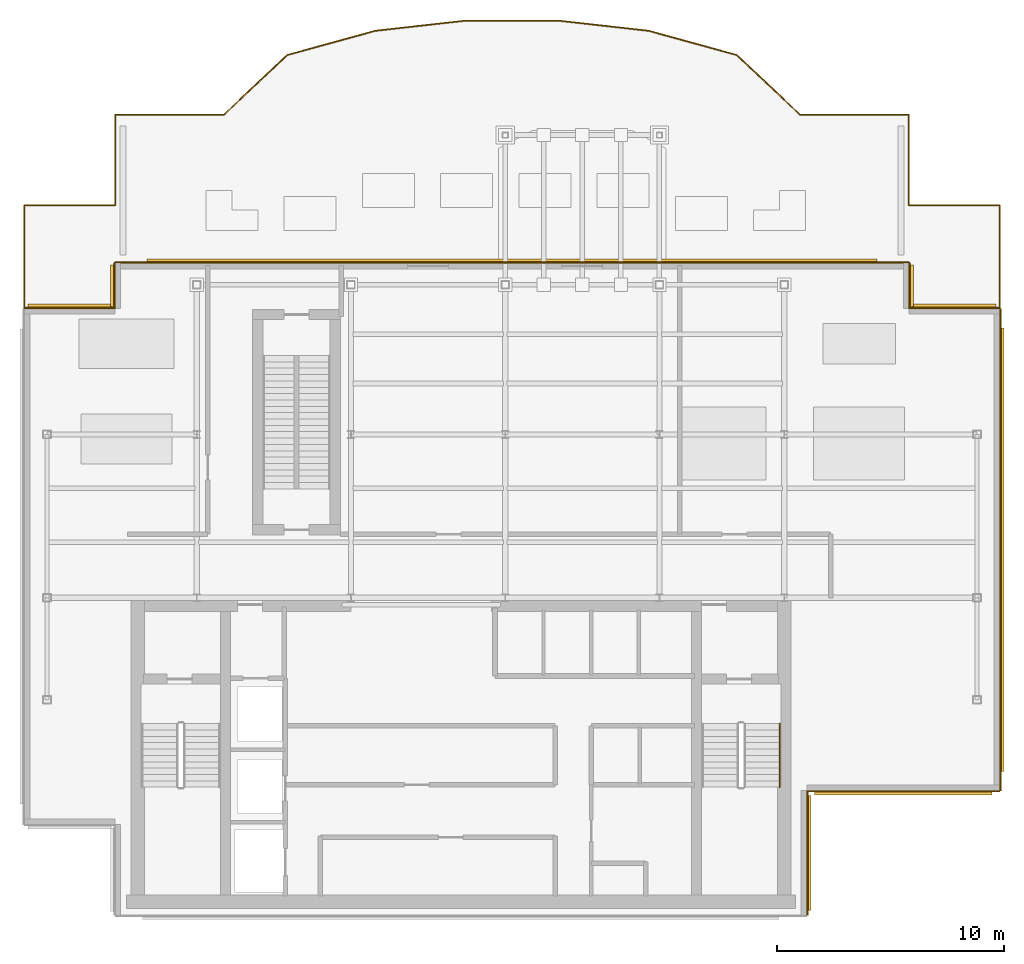
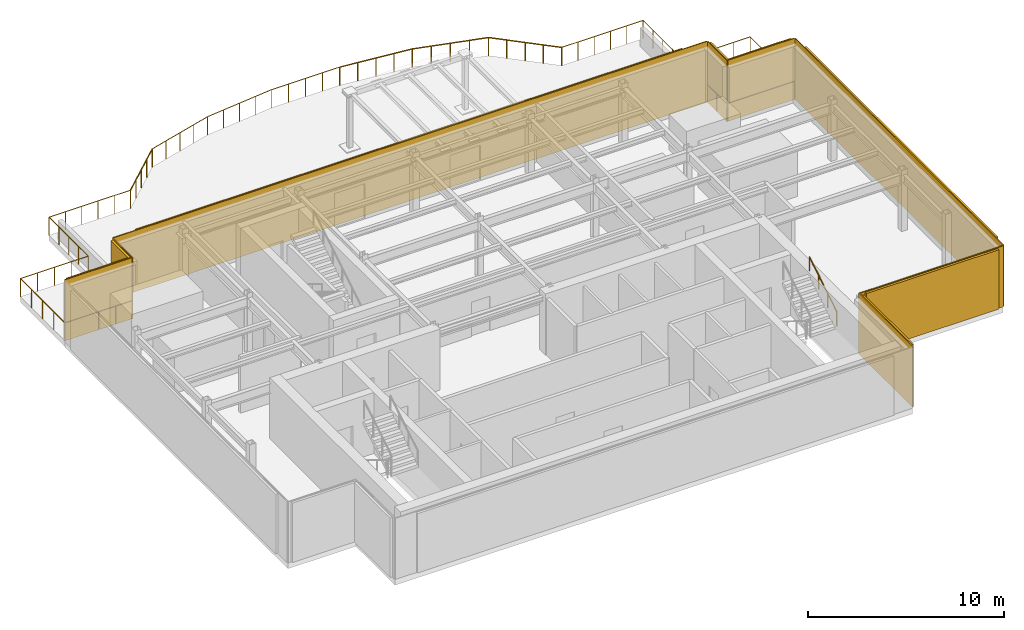
# One storey, part 8 of 9: 20 railings, 8 coverings, 8 shading devices.
"""IFC4 building model written with IfcOpenShell, lengths in metres."""

from ifc_helpers import new_model, si_unit, derived_unit, direction, frame, origin, origin_2d, place, context, subcontext, project, spatial, rectangle, circle, extrude, source, transform, mapped, material, layer, layer_set, type_object, element, save


model = new_model("IFC4")

# Units and contexts
model_context = context("Model", 3, precision=1e-05, world=origin(), true_north=direction((0.0, 1.0)))
body_context = subcontext(model_context, "Body", "Model", "MODEL_VIEW")
ifc_project = project(units=[si_unit("LENGTHUNIT", "METRE"), si_unit("AREAUNIT", "SQUARE_METRE"), si_unit("VOLUMEUNIT", "CUBIC_METRE"), si_unit("PLANEANGLEUNIT", "RADIAN"), si_unit("MASSUNIT", "GRAM", prefix="KILO"), derived_unit("THERMALTRANSMITTANCEUNIT", [(si_unit("POWERUNIT", "WATT"), 1), (si_unit("LENGTHUNIT", "METRE"), -2), (si_unit("THERMODYNAMICTEMPERATUREUNIT", "KELVIN"), -1)])], contexts=[model_context])

# Site, building, storey
site_placement = place(None, origin())
site = spatial("IfcSite", under=ifc_project, at=site_placement, CompositionType="ELEMENT")
building_placement = place(site_placement, origin())
building = spatial("IfcBuilding", under=site, at=building_placement, Name="Skarnbrae Concourse Arena and Tower", CompositionType="ELEMENT")
storey_placement = place(building_placement, frame((0.0, 0.0, 292.25)))
storey = spatial("IfcBuildingStorey", under=building, at=storey_placement, Name="L76", CompositionType="ELEMENT", Elevation=292.25)

# Railings
ifc_material_1 = material(Name="Steel CSA G40.21 350W", Category="steel")
railing_type_1 = type_object("IfcRailingType", Name="RAIL-GUARD-1150", PredefinedType="GUARDRAIL", material=ifc_material_1)
railing_1_placement = place(storey_placement, frame((0.0, 31.300048828125, 0.0)))
element("IfcRailing", 1, at=railing_1_placement, inside=storey, type_object=railing_type_1, Name="L76 Sky Garden Terrace perimeter guardrail 01", PredefinedType="GUARDRAIL", context=body_context, shape_type="SweptSolid", body=[
    extrude(circle(Radius=0.02392578125, at=origin_2d()), frame((0.0, 0.0, 1.1259765625), z_axis=(0.0, -1.0, 0.0), x_axis=(1.0, 0.0, 0.0)), (0.0, 0.0, 1.0), 4.530029296875),
    extrude(circle(Radius=0.02099609375, at=origin_2d()), origin(), (0.0, 0.0, 1.0), 1.101806640625),
    extrude(circle(Radius=0.02099609375, at=origin_2d()), frame((0.0, -1.132568359375, 0.0)), (0.0, 0.0, 1.0), 1.101806640625),
    extrude(circle(Radius=0.02099609375, at=origin_2d()), frame((0.0, -2.26513671875, 0.0)), (0.0, 0.0, 1.0), 1.101806640625),
    extrude(circle(Radius=0.02099609375, at=origin_2d()), frame((0.0, -3.3974609375, 0.0)), (0.0, 0.0, 1.0), 1.101806640625),
    extrude(circle(Radius=0.02099609375, at=origin_2d()), frame((0.0, -4.530029296875, 0.0)), (0.0, 0.0, 1.0), 1.101806640625),
])
railing_2_placement = place(storey_placement, frame((0.0, 26.77001953125, 0.0)))
element("IfcRailing", 2, at=railing_2_placement, inside=storey, type_object=railing_type_1, Name="L76 Sky Garden Terrace perimeter guardrail 02", PredefinedType="GUARDRAIL", context=body_context, shape_type="SweptSolid", body=[
    extrude(circle(Radius=0.02392578125, at=origin_2d()), frame((0.0, 0.0, 1.1259765625), z_axis=(1.0, 0.0, 0.0), x_axis=(0.0, 1.0, 0.0)), (0.0, 0.0, 1.0), 3.97998046875),
    extrude(circle(Radius=0.02099609375, at=origin_2d()), origin(), (0.0, 0.0, 1.0), 1.101806640625),
    extrude(circle(Radius=0.02099609375, at=origin_2d()), frame((0.9951171875, 0.0, 0.0)), (0.0, 0.0, 1.0), 1.101806640625),
    extrude(circle(Radius=0.02099609375, at=origin_2d()), frame((1.989990234375, 0.0, 0.0)), (0.0, 0.0, 1.0), 1.101806640625),
    extrude(circle(Radius=0.02099609375, at=origin_2d()), frame((2.98486328125, 0.0, 0.0)), (0.0, 0.0, 1.0), 1.101806640625),
    extrude(circle(Radius=0.02099609375, at=origin_2d()), frame((3.97998046875, 0.0, 0.0)), (0.0, 0.0, 1.0), 1.101806640625),
])
railing_3_placement = place(storey_placement, frame((3.97998046875, 26.77001953125, 0.0)))
element("IfcRailing", 3, at=railing_3_placement, inside=storey, type_object=railing_type_1, Name="L76 Sky Garden Terrace perimeter guardrail 03", PredefinedType="GUARDRAIL", context=body_context, shape_type="SweptSolid", body=[
    extrude(circle(Radius=0.02392578125, at=origin_2d()), frame((0.0, 0.0, 1.1259765625), z_axis=(0.0, 1.0, 0.0), x_axis=(-1.0, 0.0, 0.0)), (0.0, 0.0, 1.0), 2.0),
    extrude(circle(Radius=0.02099609375, at=origin_2d()), origin(), (0.0, 0.0, 1.0), 1.101806640625),
    extrude(circle(Radius=0.02099609375, at=origin_2d()), frame((0.0, 1.0, 0.0)), (0.0, 0.0, 1.0), 1.101806640625),
    extrude(circle(Radius=0.02099609375, at=origin_2d()), frame((0.0, 2.0, 0.0)), (0.0, 0.0, 1.0), 1.101806640625),
])
railing_4_placement = place(storey_placement, frame((39.02001953125, 28.77001953125, 0.0)))
element("IfcRailing", 4, at=railing_4_placement, inside=storey, type_object=railing_type_1, Name="L76 Sky Garden Terrace perimeter guardrail 05", PredefinedType="GUARDRAIL", context=body_context, shape_type="SweptSolid", body=[
    extrude(circle(Radius=0.02392578125, at=origin_2d()), frame((0.0, 0.0, 1.1259765625), z_axis=(0.0, -1.0, 0.0), x_axis=(1.0, 0.0, 0.0)), (0.0, 0.0, 1.0), 2.0),
    extrude(circle(Radius=0.02099609375, at=origin_2d()), origin(), (0.0, 0.0, 1.0), 1.101806640625),
    extrude(circle(Radius=0.02099609375, at=origin_2d()), frame((0.0, -1.0, 0.0)), (0.0, 0.0, 1.0), 1.101806640625),
    extrude(circle(Radius=0.02099609375, at=origin_2d()), frame((0.0, -2.0, 0.0)), (0.0, 0.0, 1.0), 1.101806640625),
])
railing_5_placement = place(storey_placement, frame((39.02001953125, 26.77001953125, 0.0)))
element("IfcRailing", 5, at=railing_5_placement, inside=storey, type_object=railing_type_1, Name="L76 Sky Garden Terrace perimeter guardrail 06", PredefinedType="GUARDRAIL", context=body_context, shape_type="SweptSolid", body=[
    extrude(circle(Radius=0.02392578125, at=origin_2d()), frame((0.0, 0.0, 1.1259765625), z_axis=(1.0, 0.0, 0.0), x_axis=(0.0, 1.0, 0.0)), (0.0, 0.0, 1.0), 3.97998046875),
    extrude(circle(Radius=0.02099609375, at=origin_2d()), origin(), (0.0, 0.0, 1.0), 1.101806640625),
    extrude(circle(Radius=0.02099609375, at=origin_2d()), frame((0.9951171875, 0.0, 0.0)), (0.0, 0.0, 1.0), 1.101806640625),
    extrude(circle(Radius=0.02099609375, at=origin_2d()), frame((1.989990234375, 0.0, 0.0)), (0.0, 0.0, 1.0), 1.101806640625),
    extrude(circle(Radius=0.02099609375, at=origin_2d()), frame((2.98486328125, 0.0, 0.0)), (0.0, 0.0, 1.0), 1.101806640625),
    extrude(circle(Radius=0.02099609375, at=origin_2d()), frame((3.97998046875, 0.0, 0.0)), (0.0, 0.0, 1.0), 1.101806640625),
])
railing_6_placement = place(storey_placement, frame((43.0, 26.77001953125, 0.0)))
element("IfcRailing", 6, at=railing_6_placement, inside=storey, type_object=railing_type_1, Name="L76 Sky Garden Terrace perimeter guardrail 07", PredefinedType="GUARDRAIL", context=body_context, shape_type="SweptSolid", body=[
    extrude(circle(Radius=0.02392578125, at=origin_2d()), frame((0.0, 0.0, 1.1259765625), z_axis=(0.0, 1.0, 0.0), x_axis=(-1.0, 0.0, 0.0)), (0.0, 0.0, 1.0), 4.530029296875),
    extrude(circle(Radius=0.02099609375, at=origin_2d()), origin(), (0.0, 0.0, 1.0), 1.101806640625),
    extrude(circle(Radius=0.02099609375, at=origin_2d()), frame((0.0, 1.132568359375, 0.0)), (0.0, 0.0, 1.0), 1.101806640625),
    extrude(circle(Radius=0.02099609375, at=origin_2d()), frame((0.0, 2.26513671875, 0.0)), (0.0, 0.0, 1.0), 1.101806640625),
    extrude(circle(Radius=0.02099609375, at=origin_2d()), frame((0.0, 3.3974609375, 0.0)), (0.0, 0.0, 1.0), 1.101806640625),
    extrude(circle(Radius=0.02099609375, at=origin_2d()), frame((0.0, 4.530029296875, 0.0)), (0.0, 0.0, 1.0), 1.101806640625),
])
railing_7_placement = place(storey_placement, frame((43.0, 31.300048828125, 0.0)))
element("IfcRailing", 7, at=railing_7_placement, inside=storey, type_object=railing_type_1, Name="L76 Sky Garden Terrace perimeter guardrail 08", PredefinedType="GUARDRAIL", context=body_context, shape_type="SweptSolid", body=[
    extrude(circle(Radius=0.02392578125, at=origin_2d()), frame((0.0, 0.0, 1.1259765625), z_axis=(-1.0, 0.0, 0.0), x_axis=(0.0, -1.0, 0.0)), (0.0, 0.0, 1.0), 4.0),
    extrude(circle(Radius=0.02099609375, at=origin_2d()), origin(), (0.0, 0.0, 1.0), 1.101806640625),
    extrude(circle(Radius=0.02099609375, at=origin_2d()), frame((-1.0, 0.0, 0.0)), (0.0, 0.0, 1.0), 1.101806640625),
    extrude(circle(Radius=0.02099609375, at=origin_2d()), frame((-2.0, 0.0, 0.0)), (0.0, 0.0, 1.0), 1.101806640625),
    extrude(circle(Radius=0.02099609375, at=origin_2d()), frame((-3.0, 0.0, 0.0)), (0.0, 0.0, 1.0), 1.101806640625),
    extrude(circle(Radius=0.02099609375, at=origin_2d()), frame((-4.0, 0.0, 0.0)), (0.0, 0.0, 1.0), 1.101806640625),
])
railing_8_placement = place(storey_placement, frame((39.0, 31.300048828125, 0.0)))
element("IfcRailing", 8, at=railing_8_placement, inside=storey, type_object=railing_type_1, Name="L76 Sky Garden Terrace perimeter guardrail 09", PredefinedType="GUARDRAIL", context=body_context, shape_type="SweptSolid", body=[
    extrude(circle(Radius=0.02392578125, at=origin_2d()), frame((0.0, 0.0, 1.1259765625), z_axis=(0.0, 1.0, 0.0), x_axis=(-1.0, 0.0, 0.0)), (0.0, 0.0, 1.0), 4.0),
    extrude(circle(Radius=0.02099609375, at=origin_2d()), origin(), (0.0, 0.0, 1.0), 1.101806640625),
    extrude(circle(Radius=0.02099609375, at=origin_2d()), frame((0.0, 1.0, 0.0)), (0.0, 0.0, 1.0), 1.101806640625),
    extrude(circle(Radius=0.02099609375, at=origin_2d()), frame((0.0, 2.0, 0.0)), (0.0, 0.0, 1.0), 1.101806640625),
    extrude(circle(Radius=0.02099609375, at=origin_2d()), frame((0.0, 3.0, 0.0)), (0.0, 0.0, 1.0), 1.101806640625),
    extrude(circle(Radius=0.02099609375, at=origin_2d()), frame((0.0, 4.0, 0.0)), (0.0, 0.0, 1.0), 1.101806640625),
])
railing_9_placement = place(storey_placement, frame((39.0, 35.300048828125, 0.0)))
element("IfcRailing", 9, at=railing_9_placement, inside=storey, type_object=railing_type_1, Name="L76 Sky Garden Terrace perimeter guardrail 10", PredefinedType="GUARDRAIL", context=body_context, shape_type="SweptSolid", body=[
    extrude(circle(Radius=0.02392578125, at=origin_2d()), frame((0.0, 0.0, 1.1259765625), z_axis=(-1.0, 0.0, 0.0), x_axis=(0.0, -1.0, 0.0)), (0.0, 0.0, 1.0), 4.800048828125),
    extrude(circle(Radius=0.02099609375, at=origin_2d()), origin(), (0.0, 0.0, 1.0), 1.101806640625),
    extrude(circle(Radius=0.02099609375, at=origin_2d()), frame((-0.9599609375, 0.0, 0.0)), (0.0, 0.0, 1.0), 1.101806640625),
    extrude(circle(Radius=0.02099609375, at=origin_2d()), frame((-1.919921875, 0.0, 0.0)), (0.0, 0.0, 1.0), 1.101806640625),
    extrude(circle(Radius=0.02099609375, at=origin_2d()), frame((-2.880126953125, 0.0, 0.0)), (0.0, 0.0, 1.0), 1.101806640625),
    extrude(circle(Radius=0.02099609375, at=origin_2d()), frame((-3.840087890625, 0.0, 0.0)), (0.0, 0.0, 1.0), 1.101806640625),
    extrude(circle(Radius=0.02099609375, at=origin_2d()), frame((-4.800048828125, 0.0, 0.0)), (0.0, 0.0, 1.0), 1.101806640625),
])
railing_10_placement = place(storey_placement, frame((34.199951171875, 35.300048828125, 0.0)))
element("IfcRailing", 10, at=railing_10_placement, inside=storey, type_object=railing_type_1, Name="L76 Sky Garden Terrace perimeter guardrail 11", PredefinedType="GUARDRAIL", context=body_context, shape_type="SweptSolid", body=[
    extrude(circle(Radius=0.02392578125, at=origin_2d()), frame((0.0, 0.0, 1.1259765625), z_axis=(-0.728127044998, 0.685442197667, 0.0), x_axis=(-0.685442197667, -0.728127044998, 0.0)), (0.0, 0.0, 1.0), 3.83203125),
    extrude(circle(Radius=0.02099609375, at=origin_2d()), origin(), (0.0, 0.0, 1.0), 1.101806640625),
    extrude(circle(Radius=0.02099609375, at=origin_2d()), frame((-0.697509765625, 0.65673828125, 0.0)), (0.0, 0.0, 1.0), 1.101806640625),
    extrude(circle(Radius=0.02099609375, at=origin_2d()), frame((-1.39501953125, 1.3134765625, 0.0)), (0.0, 0.0, 1.0), 1.101806640625),
    extrude(circle(Radius=0.02099609375, at=origin_2d()), frame((-2.0927734375, 1.969970703125, 0.0)), (0.0, 0.0, 1.0), 1.101806640625),
    extrude(circle(Radius=0.02099609375, at=origin_2d()), frame((-2.790283203125, 2.626708984375, 0.0)), (0.0, 0.0, 1.0), 1.101806640625),
])
railing_11_placement = place(storey_placement, frame((31.40966796875, 37.9267578125, 0.0)))
element("IfcRailing", 11, at=railing_11_placement, inside=storey, type_object=railing_type_1, Name="L76 Sky Garden Terrace perimeter guardrail 12", PredefinedType="GUARDRAIL", context=body_context, shape_type="SweptSolid", body=[
    extrude(circle(Radius=0.02392578125, at=origin_2d()), frame((0.0, 0.0, 1.1259765625), z_axis=(-0.964061157142, 0.265680419469, 0.0), x_axis=(-0.265680419469, -0.964061157142, 0.0)), (0.0, 0.0, 1.0), 4.028564453125),
    extrude(circle(Radius=0.02099609375, at=origin_2d()), origin(), (0.0, 0.0, 1.0), 1.101806640625),
    extrude(circle(Radius=0.02099609375, at=origin_2d()), frame((-0.970947265625, 0.267578125, 0.0)), (0.0, 0.0, 1.0), 1.101806640625),
    extrude(circle(Radius=0.02099609375, at=origin_2d()), frame((-1.94189453125, 0.53515625, 0.0)), (0.0, 0.0, 1.0), 1.101806640625),
    extrude(circle(Radius=0.02099609375, at=origin_2d()), frame((-2.912841796875, 0.802734375, 0.0)), (0.0, 0.0, 1.0), 1.101806640625),
    extrude(circle(Radius=0.02099609375, at=origin_2d()), frame((-3.8837890625, 1.0703125, 0.0)), (0.0, 0.0, 1.0), 1.101806640625),
])
railing_12_placement = place(storey_placement, frame((27.52587890625, 38.9970703125, 0.0)))
element("IfcRailing", 12, at=railing_12_placement, inside=storey, type_object=railing_type_1, Name="L76 Sky Garden Terrace perimeter guardrail 13", PredefinedType="GUARDRAIL", context=body_context, shape_type="SweptSolid", body=[
    extrude(circle(Radius=0.02392578125, at=origin_2d()), frame((0.0, 0.0, 1.1259765625), z_axis=(-0.99376656551, 0.111480999614, 0.0), x_axis=(-0.111480999614, -0.99376656551, 0.0)), (0.0, 0.0, 1.0), 4.033935546875),
    extrude(circle(Radius=0.02099609375, at=origin_2d()), origin(), (0.0, 0.0, 1.0), 1.101806640625),
    extrude(circle(Radius=0.02099609375, at=origin_2d()), frame((-1.002197265625, 0.1123046875, 0.0)), (0.0, 0.0, 1.0), 1.101806640625),
    extrude(circle(Radius=0.02099609375, at=origin_2d()), frame((-2.00439453125, 0.224853515625, 0.0)), (0.0, 0.0, 1.0), 1.101806640625),
    extrude(circle(Radius=0.02099609375, at=origin_2d()), frame((-3.006591796875, 0.33740234375, 0.0)), (0.0, 0.0, 1.0), 1.101806640625),
    extrude(circle(Radius=0.02099609375, at=origin_2d()), frame((-4.0087890625, 0.44970703125, 0.0)), (0.0, 0.0, 1.0), 1.101806640625),
])
railing_13_placement = place(storey_placement, frame((23.51708984375, 39.44677734375, 0.0)))
element("IfcRailing", 13, at=railing_13_placement, inside=storey, type_object=railing_type_1, Name="L76 Sky Garden Terrace perimeter guardrail 14", PredefinedType="GUARDRAIL", context=body_context, shape_type="SweptSolid", body=[
    extrude(circle(Radius=0.02392578125, at=origin_2d()), frame((0.0, 0.0, 1.1259765625), z_axis=(-1.0, 0.0, 0.0), x_axis=(0.0, -1.0, 0.0)), (0.0, 0.0, 1.0), 4.0341796875),
    extrude(circle(Radius=0.02099609375, at=origin_2d()), origin(), (0.0, 0.0, 1.0), 1.101806640625),
    extrude(circle(Radius=0.02099609375, at=origin_2d()), frame((-1.008544921875, 0.0, 0.0)), (0.0, 0.0, 1.0), 1.101806640625),
    extrude(circle(Radius=0.02099609375, at=origin_2d()), frame((-2.01708984375, 0.0, 0.0)), (0.0, 0.0, 1.0), 1.101806640625),
    extrude(circle(Radius=0.02099609375, at=origin_2d()), frame((-3.025634765625, 0.0, 0.0)), (0.0, 0.0, 1.0), 1.101806640625),
    extrude(circle(Radius=0.02099609375, at=origin_2d()), frame((-4.0341796875, 0.0, 0.0)), (0.0, 0.0, 1.0), 1.101806640625),
])
railing_14_placement = place(storey_placement, frame((19.48291015625, 39.44677734375, 0.0)))
element("IfcRailing", 14, at=railing_14_placement, inside=storey, type_object=railing_type_1, Name="L76 Sky Garden Terrace perimeter guardrail 15", PredefinedType="GUARDRAIL", context=body_context, shape_type="SweptSolid", body=[
    extrude(circle(Radius=0.02392578125, at=origin_2d()), frame((0.0, 0.0, 1.1259765625), z_axis=(-0.99376656551, -0.111480999614, 0.0), x_axis=(0.111480999614, -0.99376656551, 0.0)), (0.0, 0.0, 1.0), 4.033935546875),
    extrude(circle(Radius=0.02099609375, at=origin_2d()), origin(), (0.0, 0.0, 1.0), 1.101806640625),
    extrude(circle(Radius=0.02099609375, at=origin_2d()), frame((-1.002197265625, -0.1123046875, 0.0)), (0.0, 0.0, 1.0), 1.101806640625),
    extrude(circle(Radius=0.02099609375, at=origin_2d()), frame((-2.00439453125, -0.224853515625, 0.0)), (0.0, 0.0, 1.0), 1.101806640625),
    extrude(circle(Radius=0.02099609375, at=origin_2d()), frame((-3.006591796875, -0.33740234375, 0.0)), (0.0, 0.0, 1.0), 1.101806640625),
    extrude(circle(Radius=0.02099609375, at=origin_2d()), frame((-4.0087890625, -0.44970703125, 0.0)), (0.0, 0.0, 1.0), 1.101806640625),
])
railing_15_placement = place(storey_placement, frame((15.47412109375, 38.9970703125, 0.0)))
element("IfcRailing", 15, at=railing_15_placement, inside=storey, type_object=railing_type_1, Name="L76 Sky Garden Terrace perimeter guardrail 16", PredefinedType="GUARDRAIL", context=body_context, shape_type="SweptSolid", body=[
    extrude(circle(Radius=0.02392578125, at=origin_2d()), frame((0.0, 0.0, 1.1259765625), z_axis=(-0.964061157142, -0.265680419469, 0.0), x_axis=(0.265680419469, -0.964061157142, 0.0)), (0.0, 0.0, 1.0), 4.028564453125),
    extrude(circle(Radius=0.02099609375, at=origin_2d()), origin(), (0.0, 0.0, 1.0), 1.101806640625),
    extrude(circle(Radius=0.02099609375, at=origin_2d()), frame((-0.970947265625, -0.267578125, 0.0)), (0.0, 0.0, 1.0), 1.101806640625),
    extrude(circle(Radius=0.02099609375, at=origin_2d()), frame((-1.94189453125, -0.53515625, 0.0)), (0.0, 0.0, 1.0), 1.101806640625),
    extrude(circle(Radius=0.02099609375, at=origin_2d()), frame((-2.912841796875, -0.802734375, 0.0)), (0.0, 0.0, 1.0), 1.101806640625),
    extrude(circle(Radius=0.02099609375, at=origin_2d()), frame((-3.8837890625, -1.0703125, 0.0)), (0.0, 0.0, 1.0), 1.101806640625),
])
railing_16_placement = place(storey_placement, frame((11.59033203125, 37.9267578125, 0.0)))
element("IfcRailing", 16, at=railing_16_placement, inside=storey, type_object=railing_type_1, Name="L76 Sky Garden Terrace perimeter guardrail 17", PredefinedType="GUARDRAIL", context=body_context, shape_type="SweptSolid", body=[
    extrude(circle(Radius=0.02392578125, at=origin_2d()), frame((0.0, 0.0, 1.1259765625), z_axis=(-0.728127044998, -0.685442197667, 0.0), x_axis=(0.685442197667, -0.728127044998, 0.0)), (0.0, 0.0, 1.0), 3.83203125),
    extrude(circle(Radius=0.02099609375, at=origin_2d()), origin(), (0.0, 0.0, 1.0), 1.101806640625),
    extrude(circle(Radius=0.02099609375, at=origin_2d()), frame((-0.697509765625, -0.65673828125, 0.0)), (0.0, 0.0, 1.0), 1.101806640625),
    extrude(circle(Radius=0.02099609375, at=origin_2d()), frame((-1.39501953125, -1.3134765625, 0.0)), (0.0, 0.0, 1.0), 1.101806640625),
    extrude(circle(Radius=0.02099609375, at=origin_2d()), frame((-2.0927734375, -1.969970703125, 0.0)), (0.0, 0.0, 1.0), 1.101806640625),
    extrude(circle(Radius=0.02099609375, at=origin_2d()), frame((-2.790283203125, -2.626708984375, 0.0)), (0.0, 0.0, 1.0), 1.101806640625),
])
railing_17_placement = place(storey_placement, frame((8.800048828125, 35.300048828125, 0.0)))
element("IfcRailing", 17, at=railing_17_placement, inside=storey, type_object=railing_type_1, Name="L76 Sky Garden Terrace perimeter guardrail 18", PredefinedType="GUARDRAIL", context=body_context, shape_type="SweptSolid", body=[
    extrude(circle(Radius=0.02392578125, at=origin_2d()), frame((0.0, 0.0, 1.1259765625), z_axis=(-1.0, 0.0, 0.0), x_axis=(0.0, -1.0, 0.0)), (0.0, 0.0, 1.0), 4.800048828125),
    extrude(circle(Radius=0.02099609375, at=origin_2d()), origin(), (0.0, 0.0, 1.0), 1.101806640625),
    extrude(circle(Radius=0.02099609375, at=origin_2d()), frame((-0.9599609375, 0.0, 0.0)), (0.0, 0.0, 1.0), 1.101806640625),
    extrude(circle(Radius=0.02099609375, at=origin_2d()), frame((-1.919921875, 0.0, 0.0)), (0.0, 0.0, 1.0), 1.101806640625),
    extrude(circle(Radius=0.02099609375, at=origin_2d()), frame((-2.880126953125, 0.0, 0.0)), (0.0, 0.0, 1.0), 1.101806640625),
    extrude(circle(Radius=0.02099609375, at=origin_2d()), frame((-3.840087890625, 0.0, 0.0)), (0.0, 0.0, 1.0), 1.101806640625),
    extrude(circle(Radius=0.02099609375, at=origin_2d()), frame((-4.800048828125, 0.0, 0.0)), (0.0, 0.0, 1.0), 1.101806640625),
])
railing_18_placement = place(storey_placement, frame((4.0, 35.300048828125, 0.0)))
element("IfcRailing", 18, at=railing_18_placement, inside=storey, type_object=railing_type_1, Name="L76 Sky Garden Terrace perimeter guardrail 19", PredefinedType="GUARDRAIL", context=body_context, shape_type="SweptSolid", body=[
    extrude(circle(Radius=0.02392578125, at=origin_2d()), frame((0.0, 0.0, 1.1259765625), z_axis=(0.0, -1.0, 0.0), x_axis=(1.0, 0.0, 0.0)), (0.0, 0.0, 1.0), 4.0),
    extrude(circle(Radius=0.02099609375, at=origin_2d()), origin(), (0.0, 0.0, 1.0), 1.101806640625),
    extrude(circle(Radius=0.02099609375, at=origin_2d()), frame((0.0, -1.0, 0.0)), (0.0, 0.0, 1.0), 1.101806640625),
    extrude(circle(Radius=0.02099609375, at=origin_2d()), frame((0.0, -2.0, 0.0)), (0.0, 0.0, 1.0), 1.101806640625),
    extrude(circle(Radius=0.02099609375, at=origin_2d()), frame((0.0, -3.0, 0.0)), (0.0, 0.0, 1.0), 1.101806640625),
    extrude(circle(Radius=0.02099609375, at=origin_2d()), frame((0.0, -4.0, 0.0)), (0.0, 0.0, 1.0), 1.101806640625),
])
railing_19_placement = place(storey_placement, frame((4.0, 31.300048828125, 0.0)))
element("IfcRailing", 19, at=railing_19_placement, inside=storey, type_object=railing_type_1, Name="L76 Sky Garden Terrace perimeter guardrail 20", PredefinedType="GUARDRAIL", context=body_context, shape_type="SweptSolid", body=[
    extrude(circle(Radius=0.02392578125, at=origin_2d()), frame((0.0, 0.0, 1.1259765625), z_axis=(-1.0, 0.0, 0.0), x_axis=(0.0, -1.0, 0.0)), (0.0, 0.0, 1.0), 4.0),
    extrude(circle(Radius=0.02099609375, at=origin_2d()), origin(), (0.0, 0.0, 1.0), 1.101806640625),
    extrude(circle(Radius=0.02099609375, at=origin_2d()), frame((-1.0, 0.0, 0.0)), (0.0, 0.0, 1.0), 1.101806640625),
    extrude(circle(Radius=0.02099609375, at=origin_2d()), frame((-2.0, 0.0, 0.0)), (0.0, 0.0, 1.0), 1.101806640625),
    extrude(circle(Radius=0.02099609375, at=origin_2d()), frame((-3.0, 0.0, 0.0)), (0.0, 0.0, 1.0), 1.101806640625),
    extrude(circle(Radius=0.02099609375, at=origin_2d()), frame((-4.0, 0.0, 0.0)), (0.0, 0.0, 1.0), 1.101806640625),
])
railing_type_2 = type_object("IfcRailingType", Name="RAIL-HANDRAIL-900", PredefinedType="HANDRAIL", material=ifc_material_1)
railing_20_placement = place(storey_placement, frame((33.300048828125, 5.64990234375, 2.07275390625)))
element("IfcRailing", 20, at=railing_20_placement, inside=storey, type_object=railing_type_2, Name="L76 ST-2 stair handrail 2", PredefinedType="HANDRAIL", context=body_context, shape_type="SweptSolid", body=[
    extrude(circle(Radius=0.02392578125, at=origin_2d()), frame((0.0, 0.0, 0.8759765625), z_axis=(0.0, 0.851089632645, 0.525020415988), x_axis=(-1.0, 0.0, 0.0)), (0.0, 0.0, 1.0), 3.2900390625),
    extrude(circle(Radius=0.02099609375, at=origin_2d()), origin(), (0.0, 0.0, 1.0), 0.851806640625),
    extrude(circle(Radius=0.02099609375, at=origin_2d()), frame((0.0, 0.933349609375, 0.57568359375)), (0.0, 0.0, 1.0), 0.851806640625),
    extrude(circle(Radius=0.02099609375, at=origin_2d()), frame((0.0, 1.86669921875, 1.151611328125)), (0.0, 0.0, 1.0), 0.851806640625),
    extrude(circle(Radius=0.02099609375, at=origin_2d()), frame((0.0, 2.800048828125, 1.727294921875)), (0.0, 0.0, 1.0), 0.851806640625),
])

# Covering
ifc_material_2 = material(Name="Bronze anodised aluminium 6063-T6", Category="aluminium")
ifc_layer = layer(ifc_material_2, 0.06005859375)
ifc_layer_set = layer_set([ifc_layer], Name="Bronze anodised aluminium 6063-T6")
covering_type = type_object("IfcCoveringType", Name="COV-CLAD-BRONZE-60", PredefinedType="CLADDING", material=ifc_layer_set)
shared_shape_1 = source(origin(), body_context, "Body", "SweptSolid", [
    extrude(rectangle(XDim=5.5, YDim=0.06005859375, at=origin_2d()), origin(), (0.0, 0.0, 1.0), 3.800048828125),
])
covering_1_placement = place(storey_placement, frame((34.530029296875, 2.75, 0.0), z_axis=(0.0, 0.0, 1.0), x_axis=(0.0, 1.0, 0.0)))
element("IfcCovering", 21, at=covering_1_placement, inside=storey, type_object=covering_type, Name="L76 Bronze crown rainscreen cladding 02", PredefinedType="CLADDING", context=body_context, shape_type="MappedRepresentation", body=[
    mapped(shared_shape_1, transform((0.0, 0.0, 0.0))),
])

# Shading device
shading_device_type = type_object("IfcShadingDeviceType", Name="SHD-BRONZE-LOUVRE-150", PredefinedType="USERDEFINED", material=ifc_material_2)
shared_shape_2 = source(origin(), body_context, "Body", "SweptSolid", [
    extrude(rectangle(XDim=5.06005859375, YDim=0.139892578125, at=origin_2d()), origin(), (0.0, 0.0, 1.0), 3.699951171875),
])
shading_device_1_placement = place(storey_placement, frame((34.6201171875, 2.75, 0.0498046875), z_axis=(0.0, 0.0, 1.0), x_axis=(0.0, 1.0, 0.0)))
element("IfcShadingDevice", 22, at=shading_device_1_placement, inside=storey, type_object=shading_device_type, Name="L76 Crown bronze architectural louvre screen 02", ObjectType="LOUVRE", PredefinedType="USERDEFINED", context=body_context, shape_type="MappedRepresentation", body=[
    mapped(shared_shape_2, transform((0.0, 0.0, 0.0))),
])

# Covering
shared_shape_3 = source(origin(), body_context, "Body", "SweptSolid", [
    extrude(rectangle(XDim=8.5, YDim=0.06005859375, at=origin_2d()), origin(), (0.0, 0.0, 1.0), 3.800048828125),
])
covering_2_placement = place(storey_placement, frame((38.75, 5.469970703125, 0.0), z_axis=(0.0, 0.0, 1.0), x_axis=(1.0, 0.0, 0.0)))
element("IfcCovering", 23, at=covering_2_placement, inside=storey, type_object=covering_type, Name="L76 Bronze crown rainscreen cladding 03", PredefinedType="CLADDING", context=body_context, shape_type="MappedRepresentation", body=[
    mapped(shared_shape_3, transform((0.0, 0.0, 0.0))),
])

# Shading device
shared_shape_4 = source(origin(), body_context, "Body", "SweptSolid", [
    extrude(rectangle(XDim=7.820068359375, YDim=0.139892578125, at=origin_2d()), origin(), (0.0, 0.0, 1.0), 3.699951171875),
])
shading_device_2_placement = place(storey_placement, frame((38.75, 5.3798828125, 0.0498046875), z_axis=(0.0, 0.0, 1.0), x_axis=(1.0, 0.0, 0.0)))
element("IfcShadingDevice", 24, at=shading_device_2_placement, inside=storey, type_object=shading_device_type, Name="L76 Crown bronze architectural louvre screen 03", ObjectType="LOUVRE", PredefinedType="USERDEFINED", context=body_context, shape_type="MappedRepresentation", body=[
    mapped(shared_shape_4, transform((0.0, 0.0, 0.0))),
])

# Covering
shared_shape_5 = source(origin(), body_context, "Body", "SweptSolid", [
    extrude(rectangle(XDim=21.25, YDim=0.06005859375, at=origin_2d()), origin(), (0.0, 0.0, 1.0), 3.800048828125),
])
covering_3_placement = place(storey_placement, frame((43.030029296875, 16.125, 0.0), z_axis=(0.0, 0.0, 1.0), x_axis=(0.0, 1.0, 0.0)))
element("IfcCovering", 25, at=covering_3_placement, inside=storey, type_object=covering_type, Name="L76 Bronze crown rainscreen cladding 04", PredefinedType="CLADDING", context=body_context, shape_type="MappedRepresentation", body=[
    mapped(shared_shape_5, transform((0.0, 0.0, 0.0))),
])

# Shading device
shared_shape_6 = source(origin(), body_context, "Body", "SweptSolid", [
    extrude(rectangle(XDim=19.550048828125, YDim=0.139892578125, at=origin_2d()), origin(), (0.0, 0.0, 1.0), 3.699951171875),
])
shading_device_3_placement = place(storey_placement, frame((43.1201171875, 16.125, 0.0498046875), z_axis=(0.0, 0.0, 1.0), x_axis=(0.0, 1.0, 0.0)))
element("IfcShadingDevice", 26, at=shading_device_3_placement, inside=storey, type_object=shading_device_type, Name="L76 Crown bronze architectural louvre screen 04", ObjectType="LOUVRE", PredefinedType="USERDEFINED", context=body_context, shape_type="MappedRepresentation", body=[
    mapped(shared_shape_6, transform((0.0, 0.0, 0.0))),
])

# Coverings
shared_shape_7 = source(origin(), body_context, "Body", "SweptSolid", [
    extrude(rectangle(XDim=4.0, YDim=0.06005859375, at=origin_2d()), origin(), (0.0, 0.0, 1.0), 3.800048828125),
])
for number, where, z_axis, x_axis, name in (
    (27, (41.0, 26.780029296875, 0.0), (0.0, 0.0, 1.0), (-1.0, 0.0, 0.0), "L76 Bronze crown rainscreen cladding 05"),
    (28, (2.0, 26.780029296875, 0.0), (0.0, 0.0, 1.0), (-1.0, 0.0, 0.0), "L76 Bronze crown rainscreen cladding 09"),
):
    element("IfcCovering", number, at=place(storey_placement, frame(where, z_axis=z_axis, x_axis=x_axis)), inside=storey, type_object=covering_type, Name=name, PredefinedType="CLADDING", context=body_context, shape_type="MappedRepresentation", body=[
        mapped(shared_shape_7, transform((0.0, 0.0, 0.0))),
    ])

# Shading devices
shared_shape_8 = source(origin(), body_context, "Body", "SweptSolid", [
    extrude(rectangle(XDim=3.679931640625, YDim=0.139892578125, at=origin_2d()), origin(), (0.0, 0.0, 1.0), 3.699951171875),
])
for number, where, z_axis, x_axis, name in (
    (29, (41.0, 26.8701171875, 0.0498046875), (0.0, 0.0, 1.0), (-1.0, 0.0, 0.0), "L76 Crown bronze architectural louvre screen 05"),
    (30, (2.0, 26.8701171875, 0.0498046875), (0.0, 0.0, 1.0), (-1.0, 0.0, 0.0), "L76 Crown bronze architectural louvre screen 09"),
):
    element("IfcShadingDevice", number, at=place(storey_placement, frame(where, z_axis=z_axis, x_axis=x_axis)), inside=storey, type_object=shading_device_type, Name=name, ObjectType="LOUVRE", PredefinedType="USERDEFINED", context=body_context, shape_type="MappedRepresentation", body=[
        mapped(shared_shape_8, transform((0.0, 0.0, 0.0))),
    ])

# Coverings
shared_shape_9 = source(origin(), body_context, "Body", "SweptSolid", [
    extrude(rectangle(XDim=2.0, YDim=0.06005859375, at=origin_2d()), origin(), (0.0, 0.0, 1.0), 3.800048828125),
])
for number, where, z_axis, x_axis, name in (
    (31, (39.030029296875, 27.75, 0.0), (0.0, 0.0, 1.0), (0.0, 1.0, 0.0), "L76 Bronze crown rainscreen cladding 06"),
    (32, (3.969970703125, 27.75, 0.0), (0.0, 0.0, 1.0), (0.0, -1.0, 0.0), "L76 Bronze crown rainscreen cladding 08"),
):
    element("IfcCovering", number, at=place(storey_placement, frame(where, z_axis=z_axis, x_axis=x_axis)), inside=storey, type_object=covering_type, Name=name, PredefinedType="CLADDING", context=body_context, shape_type="MappedRepresentation", body=[
        mapped(shared_shape_9, transform((0.0, 0.0, 0.0))),
    ])

# Shading devices
shared_shape_10 = source(origin(), body_context, "Body", "SweptSolid", [
    extrude(rectangle(XDim=1.840087890625, YDim=0.139892578125, at=origin_2d()), origin(), (0.0, 0.0, 1.0), 3.699951171875),
])
for number, where, z_axis, x_axis, name in (
    (33, (39.1201171875, 27.75, 0.0498046875), (0.0, 0.0, 1.0), (0.0, 1.0, 0.0), "L76 Crown bronze architectural louvre screen 06"),
    (34, (3.8798828125, 27.75, 0.0498046875), (0.0, 0.0, 1.0), (0.0, -1.0, 0.0), "L76 Crown bronze architectural louvre screen 08"),
):
    element("IfcShadingDevice", number, at=place(storey_placement, frame(where, z_axis=z_axis, x_axis=x_axis)), inside=storey, type_object=shading_device_type, Name=name, ObjectType="LOUVRE", PredefinedType="USERDEFINED", context=body_context, shape_type="MappedRepresentation", body=[
        mapped(shared_shape_10, transform((0.0, 0.0, 0.0))),
    ])

# Covering
shared_shape_11 = source(origin(), body_context, "Body", "SweptSolid", [
    extrude(rectangle(XDim=35.0, YDim=0.06005859375, at=origin_2d()), origin(), (0.0, 0.0, 1.0), 3.800048828125),
])
covering_4_placement = place(storey_placement, frame((21.5, 28.780029296875, 0.0), z_axis=(0.0, 0.0, 1.0), x_axis=(-1.0, 0.0, 0.0)))
element("IfcCovering", 35, at=covering_4_placement, inside=storey, type_object=covering_type, Name="L76 Bronze crown rainscreen cladding 07", PredefinedType="CLADDING", context=body_context, shape_type="MappedRepresentation", body=[
    mapped(shared_shape_11, transform((0.0, 0.0, 0.0))),
])

# Shading device
shared_shape_12 = source(origin(), body_context, "Body", "SweptSolid", [
    extrude(rectangle(XDim=32.199951171875, YDim=0.139892578125, at=origin_2d()), origin(), (0.0, 0.0, 1.0), 3.699951171875),
])
shading_device_4_placement = place(storey_placement, frame((21.5, 28.8701171875, 0.0498046875), z_axis=(0.0, 0.0, 1.0), x_axis=(-1.0, 0.0, 0.0)))
element("IfcShadingDevice", 36, at=shading_device_4_placement, inside=storey, type_object=shading_device_type, Name="L76 Crown bronze architectural louvre screen 07", ObjectType="LOUVRE", PredefinedType="USERDEFINED", context=body_context, shape_type="MappedRepresentation", body=[
    mapped(shared_shape_12, transform((0.0, 0.0, 0.0))),
])

save(model, "model.ifc")
